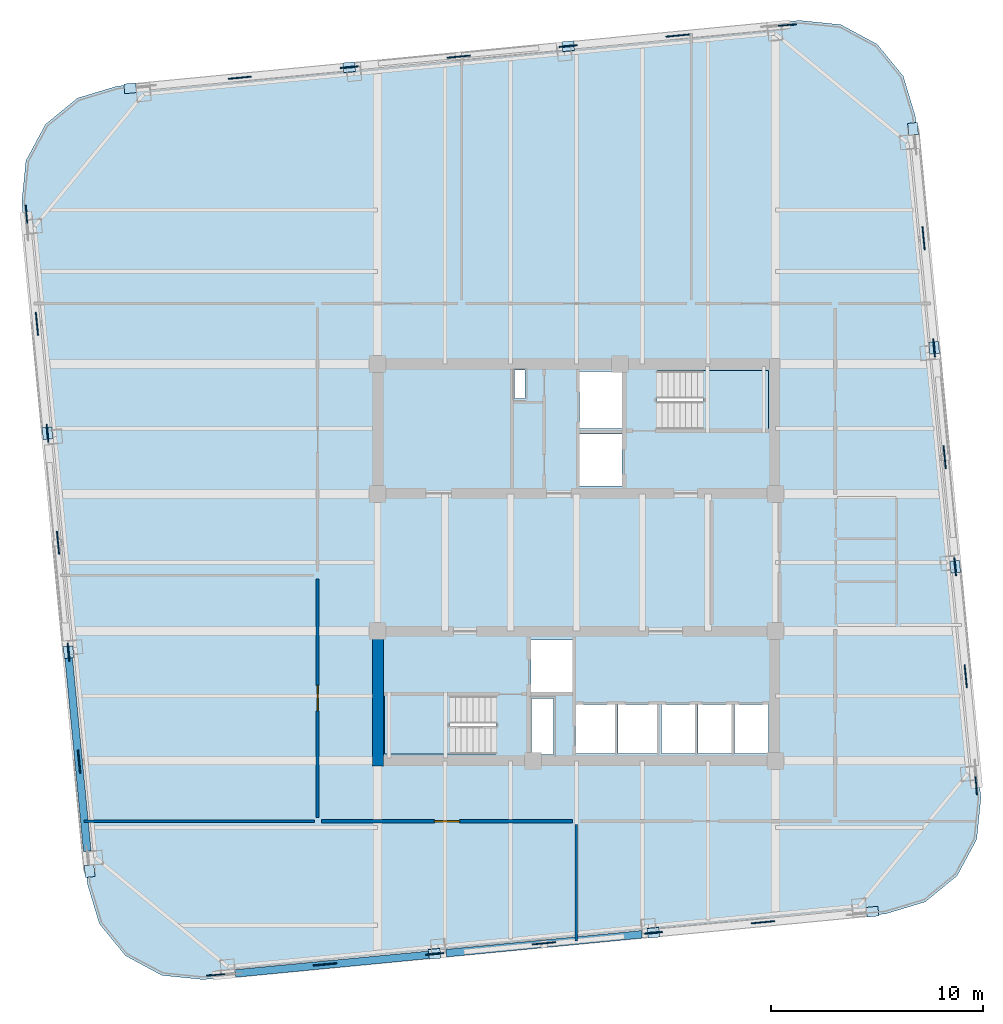
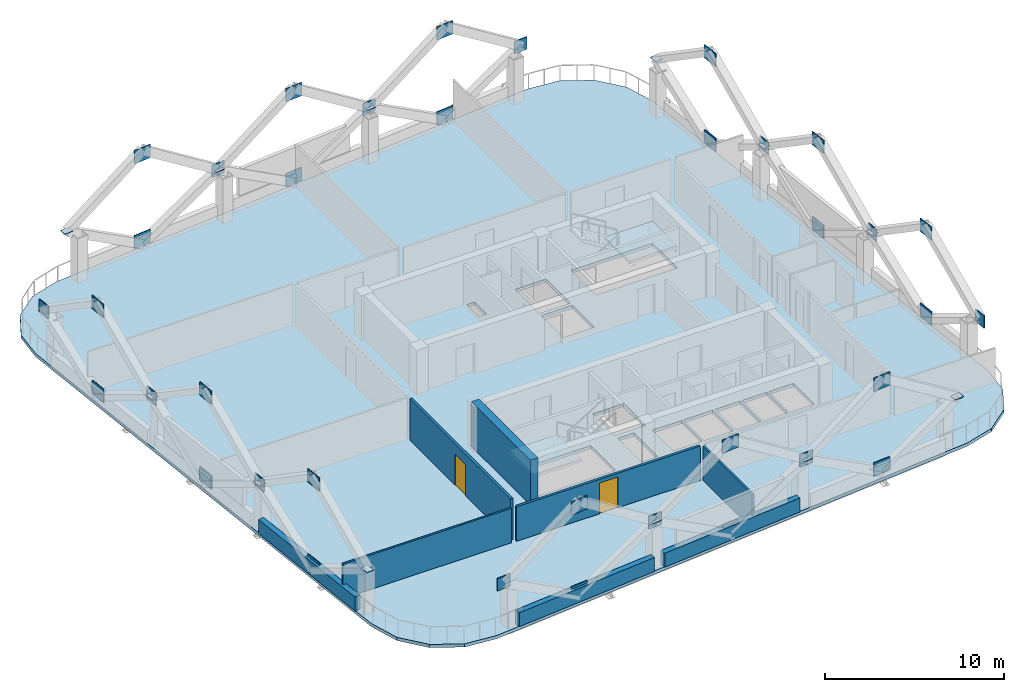
# One storey, part 3 of 9: 48 plates, 8 walls, 3 slabs, 2 doors, 2 openings, 2 elements without a shape of their own.
"""IFC4 building model written with IfcOpenShell, lengths in metres."""

from ifc_helpers import new_model, si_unit, direction, frame, frame_2d, origin, origin_2d, place, context, subcontext, project, spatial, polyline, rectangle, outline, extrude, material, layer, layer_set, type_object, element, fill, aggregate, save


model = new_model("IFC4")

# Units and contexts
model_context = context("Model", 3, precision=1e-05, world=origin(), true_north=direction((0.0, 1.0)))
body_context = subcontext(model_context, "Body", "Model", "MODEL_VIEW")
ifc_project = project(units=[si_unit("LENGTHUNIT", "METRE"), si_unit("AREAUNIT", "SQUARE_METRE"), si_unit("VOLUMEUNIT", "CUBIC_METRE"), si_unit("PLANEANGLEUNIT", "RADIAN"), si_unit("MASSUNIT", "GRAM", prefix="KILO")], contexts=[model_context])

# Site, building, storey
site_placement = place(None, origin())
site = spatial("IfcSite", under=ifc_project, at=site_placement, CompositionType="ELEMENT")
building_placement = place(site_placement, origin())
building = spatial("IfcBuilding", under=site, at=building_placement, Name="Qhalaya Broadcast Tower", CompositionType="ELEMENT")
storey_placement = place(building_placement, frame((0.0, 0.0, 180.550048828125)))
storey = spatial("IfcBuildingStorey", under=building, at=storey_placement, Name="L53", CompositionType="ELEMENT", Elevation=180.550048828125)

# Plates
ifc_material_1 = material(Name="Structural Steel ASTM A572 Grade 50", Category="steel")
ifc_layer_1 = layer(ifc_material_1, 0.054931640625, Name="Structural Steel ASTM A572 Grade 50")
ifc_layer_set_1 = layer_set([ifc_layer_1], Name="Structural Steel ASTM A572 Grade 50")
plate_type_1 = type_object("IfcPlateType", Name="Exoskeleton Diamond Node Gusset Plate NP-01", PredefinedType="USERDEFINED", material=ifc_layer_set_1)
for number, where, z_axis, x_axis, name in (
    (1, (-11.84716796875, -18.346923828125, 0.2099609375), (0.0, 0.0, 1.0), (0.995396198367, 0.09584575252, 0.0), "Exoskeleton Diamond Node B4-S1-BOT"),
    (2, (-11.84716796875, -18.346923828125, 5.989990234375), (0.0, 0.0, 1.0), (0.995396198367, 0.09584575252, 0.0), "Exoskeleton Diamond Node B4-S1-TOP"),
):
    element("IfcPlate", number, at=place(storey_placement, frame(where, z_axis=z_axis, x_axis=x_axis)), inside=storey, type_object=plate_type_1, Name=name, ObjectType="GUSSET_PLATE", PredefinedType="USERDEFINED", context=body_context, shape_type="SweptSolid", body=[
        extrude(rectangle(XDim=1.10009765625, YDim=0.054931640625, at=origin_2d()), origin(), (0.0, 0.0, 1.0), 0.89990234375),
    ])
plate_1_placement = place(storey_placement, frame((-17.006591796875, -18.84375, 2.885009765625), z_axis=(0.0, 0.0, 1.0), x_axis=(0.995396198367, 0.09584575252, 0.0)))
element("IfcPlate", 3, at=plate_1_placement, inside=storey, type_object=plate_type_1, Name="Exoskeleton Diamond Node B4-S1-MDL", ObjectType="GUSSET_PLATE", PredefinedType="USERDEFINED", context=body_context, shape_type="SweptSolid", body=[
    extrude(rectangle(XDim=0.85009765625, YDim=0.054931640625, at=origin_2d()), origin(), (0.0, 0.0, 1.0), 0.85009765625),
])
for number, where, z_axis, x_axis, name in (
    (4, (-1.5283203125, -17.353515625, 0.2099609375), (0.0, 0.0, 1.0), (0.995396198367, 0.09584575252, 0.0), "Exoskeleton Diamond Node B4-S2-BOT"),
    (5, (-1.5283203125, -17.353515625, 5.989990234375), (0.0, 0.0, 1.0), (0.995396198367, 0.09584575252, 0.0), "Exoskeleton Diamond Node B4-S2-TOP"),
):
    element("IfcPlate", number, at=place(storey_placement, frame(where, z_axis=z_axis, x_axis=x_axis)), inside=storey, type_object=plate_type_1, Name=name, ObjectType="GUSSET_PLATE", PredefinedType="USERDEFINED", context=body_context, shape_type="SweptSolid", body=[
        extrude(rectangle(XDim=1.10009765625, YDim=0.054931640625, at=origin_2d()), origin(), (0.0, 0.0, 1.0), 0.89990234375),
    ])
plate_2_placement = place(storey_placement, frame((-6.687744140625, -17.85009765625, 2.885009765625), z_axis=(0.0, 0.0, 1.0), x_axis=(0.995396198367, 0.09584575252, 0.0)))
element("IfcPlate", 6, at=plate_2_placement, inside=storey, type_object=plate_type_1, Name="Exoskeleton Diamond Node B4-S2-MDL", ObjectType="GUSSET_PLATE", PredefinedType="USERDEFINED", context=body_context, shape_type="SweptSolid", body=[
    extrude(rectangle(XDim=0.85009765625, YDim=0.054931640625, at=origin_2d()), origin(), (0.0, 0.0, 1.0), 0.85009765625),
])
for number, where, z_axis, x_axis, name in (
    (7, (8.790771484375, -16.35986328125, 0.2099609375), (0.0, 0.0, 1.0), (0.995396198367, 0.09584575252, 0.0), "Exoskeleton Diamond Node B4-S3-BOT"),
    (8, (8.790771484375, -16.35986328125, 5.989990234375), (0.0, 0.0, 1.0), (0.995396198367, 0.09584575252, 0.0), "Exoskeleton Diamond Node B4-S3-TOP"),
):
    element("IfcPlate", number, at=place(storey_placement, frame(where, z_axis=z_axis, x_axis=x_axis)), inside=storey, type_object=plate_type_1, Name=name, ObjectType="GUSSET_PLATE", PredefinedType="USERDEFINED", context=body_context, shape_type="SweptSolid", body=[
        extrude(rectangle(XDim=1.10009765625, YDim=0.054931640625, at=origin_2d()), origin(), (0.0, 0.0, 1.0), 0.89990234375),
    ])
plate_3_placement = place(storey_placement, frame((3.63134765625, -16.856689453125, 2.885009765625), z_axis=(0.0, 0.0, 1.0), x_axis=(0.995396198367, 0.09584575252, 0.0)))
element("IfcPlate", 9, at=plate_3_placement, inside=storey, type_object=plate_type_1, Name="Exoskeleton Diamond Node B4-S3-MDL", ObjectType="GUSSET_PLATE", PredefinedType="USERDEFINED", context=body_context, shape_type="SweptSolid", body=[
    extrude(rectangle(XDim=0.85009765625, YDim=0.054931640625, at=origin_2d()), origin(), (0.0, 0.0, 1.0), 0.85009765625),
])
for number, where, z_axis, x_axis, name in (
    (10, (18.346923828125, -4.76708984375, 0.2099609375), (0.0, 0.0, 1.0), (-0.09584575252, 0.995396198367, 0.0), "Exoskeleton Diamond Node B4-E1-BOT"),
    (11, (18.346923828125, -4.76708984375, 5.989990234375), (0.0, 0.0, 1.0), (-0.09584575252, 0.995396198367, 0.0), "Exoskeleton Diamond Node B4-E1-TOP"),
):
    element("IfcPlate", number, at=place(storey_placement, frame(where, z_axis=z_axis, x_axis=x_axis)), inside=storey, type_object=plate_type_1, Name=name, ObjectType="GUSSET_PLATE", PredefinedType="USERDEFINED", context=body_context, shape_type="SweptSolid", body=[
        extrude(rectangle(XDim=1.10009765625, YDim=0.054931640625, at=origin_2d()), origin(), (0.0, 0.0, 1.0), 0.89990234375),
    ])
plate_4_placement = place(storey_placement, frame((18.84375, -9.926513671875, 2.885009765625), z_axis=(0.0, 0.0, 1.0), x_axis=(-0.09584575252, 0.995396198367, 0.0)))
element("IfcPlate", 12, at=plate_4_placement, inside=storey, type_object=plate_type_1, Name="Exoskeleton Diamond Node B4-E1-MDL", ObjectType="GUSSET_PLATE", PredefinedType="USERDEFINED", context=body_context, shape_type="SweptSolid", body=[
    extrude(rectangle(XDim=0.85009765625, YDim=0.054931640625, at=origin_2d()), origin(), (0.0, 0.0, 1.0), 0.85009765625),
])
for number, where, z_axis, x_axis, name in (
    (13, (17.353515625, 5.5517578125, 0.2099609375), (0.0, 0.0, 1.0), (-0.09584575252, 0.995396198367, 0.0), "Exoskeleton Diamond Node B4-E2-BOT"),
    (14, (17.353515625, 5.5517578125, 5.989990234375), (0.0, 0.0, 1.0), (-0.09584575252, 0.995396198367, 0.0), "Exoskeleton Diamond Node B4-E2-TOP"),
):
    element("IfcPlate", number, at=place(storey_placement, frame(where, z_axis=z_axis, x_axis=x_axis)), inside=storey, type_object=plate_type_1, Name=name, ObjectType="GUSSET_PLATE", PredefinedType="USERDEFINED", context=body_context, shape_type="SweptSolid", body=[
        extrude(rectangle(XDim=1.10009765625, YDim=0.054931640625, at=origin_2d()), origin(), (0.0, 0.0, 1.0), 0.89990234375),
    ])
plate_5_placement = place(storey_placement, frame((17.85009765625, 0.392333984375, 2.885009765625), z_axis=(0.0, 0.0, 1.0), x_axis=(-0.09584575252, 0.995396198367, 0.0)))
element("IfcPlate", 15, at=plate_5_placement, inside=storey, type_object=plate_type_1, Name="Exoskeleton Diamond Node B4-E2-MDL", ObjectType="GUSSET_PLATE", PredefinedType="USERDEFINED", context=body_context, shape_type="SweptSolid", body=[
    extrude(rectangle(XDim=0.85009765625, YDim=0.054931640625, at=origin_2d()), origin(), (0.0, 0.0, 1.0), 0.85009765625),
])
for number, where, z_axis, x_axis, name in (
    (16, (16.35986328125, 15.87060546875, 0.2099609375), (0.0, 0.0, 1.0), (-0.09584575252, 0.995396198367, 0.0), "Exoskeleton Diamond Node B4-E3-BOT"),
    (17, (16.35986328125, 15.87060546875, 5.989990234375), (0.0, 0.0, 1.0), (-0.09584575252, 0.995396198367, 0.0), "Exoskeleton Diamond Node B4-E3-TOP"),
):
    element("IfcPlate", number, at=place(storey_placement, frame(where, z_axis=z_axis, x_axis=x_axis)), inside=storey, type_object=plate_type_1, Name=name, ObjectType="GUSSET_PLATE", PredefinedType="USERDEFINED", context=body_context, shape_type="SweptSolid", body=[
        extrude(rectangle(XDim=1.10009765625, YDim=0.054931640625, at=origin_2d()), origin(), (0.0, 0.0, 1.0), 0.89990234375),
    ])
plate_6_placement = place(storey_placement, frame((16.856689453125, 10.711181640625, 2.885009765625), z_axis=(0.0, 0.0, 1.0), x_axis=(-0.09584575252, 0.995396198367, 0.0)))
element("IfcPlate", 18, at=plate_6_placement, inside=storey, type_object=plate_type_1, Name="Exoskeleton Diamond Node B4-E3-MDL", ObjectType="GUSSET_PLATE", PredefinedType="USERDEFINED", context=body_context, shape_type="SweptSolid", body=[
    extrude(rectangle(XDim=0.85009765625, YDim=0.054931640625, at=origin_2d()), origin(), (0.0, 0.0, 1.0), 0.85009765625),
])
for number, where, z_axis, x_axis, name in (
    (19, (4.76708984375, 25.427001953125, 0.2099609375), (0.0, 0.0, 1.0), (0.995396198367, 0.09584575252, 0.0), "Exoskeleton Diamond Node B4-N1-BOT"),
    (20, (4.76708984375, 25.427001953125, 5.989990234375), (0.0, 0.0, 1.0), (0.995396198367, 0.09584575252, 0.0), "Exoskeleton Diamond Node B4-N1-TOP"),
):
    element("IfcPlate", number, at=place(storey_placement, frame(where, z_axis=z_axis, x_axis=x_axis)), inside=storey, type_object=plate_type_1, Name=name, ObjectType="GUSSET_PLATE", PredefinedType="USERDEFINED", context=body_context, shape_type="SweptSolid", body=[
        extrude(rectangle(XDim=1.10009765625, YDim=0.054931640625, at=origin_2d()), origin(), (0.0, 0.0, 1.0), 0.89990234375),
    ])
plate_7_placement = place(storey_placement, frame((9.926513671875, 25.923828125, 2.885009765625), z_axis=(0.0, 0.0, 1.0), x_axis=(0.995396198367, 0.09584575252, 0.0)))
element("IfcPlate", 21, at=plate_7_placement, inside=storey, type_object=plate_type_1, Name="Exoskeleton Diamond Node B4-N1-MDL", ObjectType="GUSSET_PLATE", PredefinedType="USERDEFINED", context=body_context, shape_type="SweptSolid", body=[
    extrude(rectangle(XDim=0.85009765625, YDim=0.054931640625, at=origin_2d()), origin(), (0.0, 0.0, 1.0), 0.85009765625),
])
for number, where, z_axis, x_axis, name in (
    (22, (-5.5517578125, 24.433349609375, 0.2099609375), (0.0, 0.0, 1.0), (0.995396198367, 0.09584575252, 0.0), "Exoskeleton Diamond Node B4-N2-BOT"),
    (23, (-5.5517578125, 24.433349609375, 5.989990234375), (0.0, 0.0, 1.0), (0.995396198367, 0.09584575252, 0.0), "Exoskeleton Diamond Node B4-N2-TOP"),
):
    element("IfcPlate", number, at=place(storey_placement, frame(where, z_axis=z_axis, x_axis=x_axis)), inside=storey, type_object=plate_type_1, Name=name, ObjectType="GUSSET_PLATE", PredefinedType="USERDEFINED", context=body_context, shape_type="SweptSolid", body=[
        extrude(rectangle(XDim=1.10009765625, YDim=0.054931640625, at=origin_2d()), origin(), (0.0, 0.0, 1.0), 0.89990234375),
    ])
plate_8_placement = place(storey_placement, frame((-0.392333984375, 24.93017578125, 2.885009765625), z_axis=(0.0, 0.0, 1.0), x_axis=(0.995396198367, 0.09584575252, 0.0)))
element("IfcPlate", 24, at=plate_8_placement, inside=storey, type_object=plate_type_1, Name="Exoskeleton Diamond Node B4-N2-MDL", ObjectType="GUSSET_PLATE", PredefinedType="USERDEFINED", context=body_context, shape_type="SweptSolid", body=[
    extrude(rectangle(XDim=0.85009765625, YDim=0.054931640625, at=origin_2d()), origin(), (0.0, 0.0, 1.0), 0.85009765625),
])
for number, where, z_axis, x_axis, name in (
    (25, (-15.87060546875, 23.439697265625, 0.2099609375), (0.0, 0.0, 1.0), (0.995396198367, 0.09584575252, 0.0), "Exoskeleton Diamond Node B4-N3-BOT"),
    (26, (-15.87060546875, 23.439697265625, 5.989990234375), (0.0, 0.0, 1.0), (0.995396198367, 0.09584575252, 0.0), "Exoskeleton Diamond Node B4-N3-TOP"),
):
    element("IfcPlate", number, at=place(storey_placement, frame(where, z_axis=z_axis, x_axis=x_axis)), inside=storey, type_object=plate_type_1, Name=name, ObjectType="GUSSET_PLATE", PredefinedType="USERDEFINED", context=body_context, shape_type="SweptSolid", body=[
        extrude(rectangle(XDim=1.10009765625, YDim=0.054931640625, at=origin_2d()), origin(), (0.0, 0.0, 1.0), 0.89990234375),
    ])
plate_9_placement = place(storey_placement, frame((-10.711181640625, 23.9365234375, 2.885009765625), z_axis=(0.0, 0.0, 1.0), x_axis=(0.995396198367, 0.09584575252, 0.0)))
element("IfcPlate", 27, at=plate_9_placement, inside=storey, type_object=plate_type_1, Name="Exoskeleton Diamond Node B4-N3-MDL", ObjectType="GUSSET_PLATE", PredefinedType="USERDEFINED", context=body_context, shape_type="SweptSolid", body=[
    extrude(rectangle(XDim=0.85009765625, YDim=0.054931640625, at=origin_2d()), origin(), (0.0, 0.0, 1.0), 0.85009765625),
])
for number, where, z_axis, x_axis, name in (
    (28, (-25.427001953125, 11.84716796875, 0.2099609375), (0.0, 0.0, 1.0), (-0.09584575252, 0.995396198367, 0.0), "Exoskeleton Diamond Node B4-W1-BOT"),
    (29, (-25.427001953125, 11.84716796875, 5.989990234375), (0.0, 0.0, 1.0), (-0.09584575252, 0.995396198367, 0.0), "Exoskeleton Diamond Node B4-W1-TOP"),
):
    element("IfcPlate", number, at=place(storey_placement, frame(where, z_axis=z_axis, x_axis=x_axis)), inside=storey, type_object=plate_type_1, Name=name, ObjectType="GUSSET_PLATE", PredefinedType="USERDEFINED", context=body_context, shape_type="SweptSolid", body=[
        extrude(rectangle(XDim=1.10009765625, YDim=0.054931640625, at=origin_2d()), origin(), (0.0, 0.0, 1.0), 0.89990234375),
    ])
plate_10_placement = place(storey_placement, frame((-25.923828125, 17.006591796875, 2.885009765625), z_axis=(0.0, 0.0, 1.0), x_axis=(-0.09584575252, 0.995396198367, 0.0)))
element("IfcPlate", 30, at=plate_10_placement, inside=storey, type_object=plate_type_1, Name="Exoskeleton Diamond Node B4-W1-MDL", ObjectType="GUSSET_PLATE", PredefinedType="USERDEFINED", context=body_context, shape_type="SweptSolid", body=[
    extrude(rectangle(XDim=0.85009765625, YDim=0.054931640625, at=origin_2d()), origin(), (0.0, 0.0, 1.0), 0.85009765625),
])
for number, where, z_axis, x_axis, name in (
    (31, (-24.433349609375, 1.5283203125, 0.2099609375), (0.0, 0.0, 1.0), (-0.09584575252, 0.995396198367, 0.0), "Exoskeleton Diamond Node B4-W2-BOT"),
    (32, (-24.433349609375, 1.5283203125, 5.989990234375), (0.0, 0.0, 1.0), (-0.09584575252, 0.995396198367, 0.0), "Exoskeleton Diamond Node B4-W2-TOP"),
):
    element("IfcPlate", number, at=place(storey_placement, frame(where, z_axis=z_axis, x_axis=x_axis)), inside=storey, type_object=plate_type_1, Name=name, ObjectType="GUSSET_PLATE", PredefinedType="USERDEFINED", context=body_context, shape_type="SweptSolid", body=[
        extrude(rectangle(XDim=1.10009765625, YDim=0.054931640625, at=origin_2d()), origin(), (0.0, 0.0, 1.0), 0.89990234375),
    ])
plate_11_placement = place(storey_placement, frame((-24.93017578125, 6.687744140625, 2.885009765625), z_axis=(0.0, 0.0, 1.0), x_axis=(-0.09584575252, 0.995396198367, 0.0)))
element("IfcPlate", 33, at=plate_11_placement, inside=storey, type_object=plate_type_1, Name="Exoskeleton Diamond Node B4-W2-MDL", ObjectType="GUSSET_PLATE", PredefinedType="USERDEFINED", context=body_context, shape_type="SweptSolid", body=[
    extrude(rectangle(XDim=0.85009765625, YDim=0.054931640625, at=origin_2d()), origin(), (0.0, 0.0, 1.0), 0.85009765625),
])
for number, where, z_axis, x_axis, name in (
    (34, (-23.439697265625, -8.790771484375, 0.2099609375), (0.0, 0.0, 1.0), (-0.09584575252, 0.995396198367, 0.0), "Exoskeleton Diamond Node B4-W3-BOT"),
    (35, (-23.439697265625, -8.790771484375, 5.989990234375), (0.0, 0.0, 1.0), (-0.09584575252, 0.995396198367, 0.0), "Exoskeleton Diamond Node B4-W3-TOP"),
):
    element("IfcPlate", number, at=place(storey_placement, frame(where, z_axis=z_axis, x_axis=x_axis)), inside=storey, type_object=plate_type_1, Name=name, ObjectType="GUSSET_PLATE", PredefinedType="USERDEFINED", context=body_context, shape_type="SweptSolid", body=[
        extrude(rectangle(XDim=1.10009765625, YDim=0.054931640625, at=origin_2d()), origin(), (0.0, 0.0, 1.0), 0.89990234375),
    ])
plate_12_placement = place(storey_placement, frame((-23.9365234375, -3.63134765625, 2.885009765625), z_axis=(0.0, 0.0, 1.0), x_axis=(-0.09584575252, 0.995396198367, 0.0)))
element("IfcPlate", 36, at=plate_12_placement, inside=storey, type_object=plate_type_1, Name="Exoskeleton Diamond Node B4-W3-MDL", ObjectType="GUSSET_PLATE", PredefinedType="USERDEFINED", context=body_context, shape_type="SweptSolid", body=[
    extrude(rectangle(XDim=0.85009765625, YDim=0.054931640625, at=origin_2d()), origin(), (0.0, 0.0, 1.0), 0.85009765625),
])
ifc_layer_2 = layer(ifc_material_1, 0.4599609375, Name="Structural Steel ASTM A572 Grade 50")
ifc_layer_set_2 = layer_set([ifc_layer_2], Name="Structural Steel ASTM A572 Grade 50")
plate_type_2 = type_object("IfcPlateType", Name="Hollow Box Member End Cap Plate CP-01", PredefinedType="USERDEFINED", material=ifc_layer_set_2)
for number, where, z_axis, x_axis, name in (
    (37, (-6.687744140625, -17.85009765625, 3.2939453125), (0.0, 0.0, 1.0), (0.995396198367, 0.09584575252, 0.0), "Exoskeleton Hollow End Cap B4-S1"),
    (38, (3.63134765625, -16.856689453125, 3.2939453125), (0.0, 0.0, 1.0), (0.995396198367, 0.09584575252, 0.0), "Exoskeleton Hollow End Cap B4-S2"),
    (39, (13.9501953125, -15.863037109375, 3.2939453125), (0.0, 0.0, 1.0), (0.995396198367, 0.09584575252, 0.0), "Exoskeleton Hollow End Cap B4-S3"),
    (40, (17.85009765625, 0.392333984375, 3.2939453125), (0.0, 0.0, 1.0), (-0.09584575252, 0.995396198367, 0.0), "Exoskeleton Hollow End Cap B4-E1"),
    (41, (16.856689453125, 10.711181640625, 3.2939453125), (0.0, 0.0, 1.0), (-0.09584575252, 0.995396198367, 0.0), "Exoskeleton Hollow End Cap B4-E2"),
    (42, (15.863037109375, 21.0302734375, 3.2939453125), (0.0, 0.0, 1.0), (-0.09584575252, 0.995396198367, 0.0), "Exoskeleton Hollow End Cap B4-E3"),
    (43, (-0.392333984375, 24.93017578125, 3.2939453125), (0.0, 0.0, 1.0), (0.995396198367, 0.09584575252, 0.0), "Exoskeleton Hollow End Cap B4-N1"),
    (44, (-10.711181640625, 23.9365234375, 3.2939453125), (0.0, 0.0, 1.0), (0.995396198367, 0.09584575252, 0.0), "Exoskeleton Hollow End Cap B4-N2"),
    (45, (-21.0302734375, 22.943115234375, 3.2939453125), (0.0, 0.0, 1.0), (0.995396198367, 0.09584575252, 0.0), "Exoskeleton Hollow End Cap B4-N3"),
    (46, (-24.93017578125, 6.687744140625, 3.2939453125), (0.0, 0.0, 1.0), (-0.09584575252, 0.995396198367, 0.0), "Exoskeleton Hollow End Cap B4-W1"),
    (47, (-23.9365234375, -3.63134765625, 3.2939453125), (0.0, 0.0, 1.0), (-0.09584575252, 0.995396198367, 0.0), "Exoskeleton Hollow End Cap B4-W2"),
    (48, (-22.943115234375, -13.9501953125, 3.2939453125), (0.0, 0.0, 1.0), (-0.09584575252, 0.995396198367, 0.0), "Exoskeleton Hollow End Cap B4-W3"),
):
    element("IfcPlate", number, at=place(storey_placement, frame(where, z_axis=z_axis, x_axis=x_axis)), inside=storey, type_object=plate_type_2, Name=name, ObjectType="COVER_PLATE", PredefinedType="USERDEFINED", context=body_context, shape_type="SweptSolid", body=[
        extrude(rectangle(XDim=0.56005859375, YDim=0.4599609375, at=origin_2d()), origin(), (0.0, 0.0, 1.0), 0.031982421875),
    ])

# Stair, slab
ifc_material_2 = material(Name="Concrete C40/50", Category="concrete")
stair_type = type_object("IfcStairType", Name="Protected Dogleg Core Stair 3150", PredefinedType="TWO_STRAIGHT_RUN_STAIR", material=ifc_material_2)
stair_1_placement = place(storey_placement, origin())
stair_1 = element("IfcStair", 49, at=stair_1_placement, inside=storey, type_object=stair_type, Name="L53 North Core Exit Stair ST-1", PredefinedType="TWO_STRAIGHT_RUN_STAIR")
ifc_layer_3 = layer(ifc_material_2, 0.199951171875, Name="Concrete C40/50")
ifc_layer_set_3 = layer_set([ifc_layer_3], Name="Concrete C40/50")
slab_type_1 = type_object("IfcSlabType", Name="Stair & Ramp Half-Landing Slab 200", PredefinedType="LANDING", material=ifc_layer_set_3)
slab_1_placement = place(storey_placement, frame((0.0, 0.0, 1.324951171875)))
slab_1 = element("IfcSlab", 50, at=slab_1_placement, type_object=slab_type_1, Name="ST-1 landing 1", PredefinedType="LANDING", context=body_context, shape_type="SweptSolid", body=[
    extrude(outline(polyline([(5.955078125, 6.8798828125), (9.050048828125, 6.8798828125), (9.050048828125, 9.639892578125), (5.955078125, 9.639892578125), (5.955078125, 6.8798828125)])), origin(), (0.0, 0.0, 1.0), 0.199951171875),
])
aggregate(stair_1, [slab_1])

stair_2_placement = place(storey_placement, origin())
stair_2 = element("IfcStair", 51, at=stair_2_placement, inside=storey, type_object=stair_type, Name="L53 South Core Exit Stair ST-2", PredefinedType="TWO_STRAIGHT_RUN_STAIR")
slab_2_placement = place(storey_placement, frame((0.0, 0.0, 1.324951171875)))
slab_2 = element("IfcSlab", 52, at=slab_2_placement, type_object=slab_type_1, Name="ST-2 landing 1", PredefinedType="LANDING", context=body_context, shape_type="SweptSolid", body=[
    extrude(outline(polyline([(-5.955078125, -5.679931640625), (-9.050048828125, -5.679931640625), (-9.050048828125, -8.43994140625), (-5.955078125, -8.43994140625), (-5.955078125, -5.679931640625)])), origin(), (0.0, 0.0, 1.0), 0.199951171875),
])
aggregate(stair_2, [slab_2])

# Slab
ifc_layer_4 = layer(ifc_material_2, 0.219970703125, Name="Concrete C40/50")
ifc_layer_set_4 = layer_set([ifc_layer_4], Name="Concrete C40/50")
slab_type_2 = type_object("IfcSlabType", Name="Tower Composite Floor Slab 220", PredefinedType="FLOOR", material=ifc_layer_set_4)
slab_3_placement = place(storey_placement, frame((0.0, 0.0, -0.219970703125)))
element("IfcSlab", 53, at=slab_3_placement, inside=storey, type_object=slab_type_2, Name="L53 Main Structural Floor Slab", PredefinedType="FLOOR", context=body_context, shape_type="SweptSolid", body=[
    extrude(outline(polyline([(14.562744140625, -15.964599609375), (16.430908203125, -15.402587890625), (17.941650390625, -14.168212890625), (18.864990234375, -12.44970703125), (19.060546875, -10.508544921875), (15.964599609375, 21.642822265625), (15.402587890625, 23.510986328125), (14.168212890625, 25.021728515625), (12.44970703125, 25.945068359375), (10.508544921875, 26.140380859375), (-21.642822265625, 23.044677734375), (-23.510986328125, 22.482421875), (-25.021728515625, 21.248046875), (-25.945068359375, 19.529541015625), (-26.140380859375, 17.58837890625), (-23.044677734375, -14.562744140625), (-22.482421875, -16.430908203125), (-21.248046875, -17.941650390625), (-19.529541015625, -18.864990234375), (-17.58837890625, -19.060546875), (14.562744140625, -15.964599609375)]), holes=[polyline([(3.784912109375, 9.639892578125), (9.050048828125, 9.639892578125), (9.050048828125, 6.8798828125), (3.784912109375, 6.8798828125), (3.784912109375, 9.639892578125)]), polyline([(-3.784912109375, -8.43994140625), (-9.050048828125, -8.43994140625), (-9.050048828125, -5.679931640625), (-3.784912109375, -5.679931640625), (-3.784912109375, -8.43994140625)]), polyline([(0.14990234375, 6.64990234375), (2.14990234375, 6.64990234375), (2.14990234375, 4.199951171875), (0.14990234375, 4.199951171875), (0.14990234375, 6.64990234375)]), polyline([(0.14990234375, 9.60009765625), (2.14990234375, 9.60009765625), (2.14990234375, 6.89990234375), (0.14990234375, 6.89990234375), (0.14990234375, 9.60009765625)]), polyline([(-2.14990234375, -3.050048828125), (-0.14990234375, -3.050048828125), (-0.14990234375, -5.5), (-2.14990234375, -5.5), (-2.14990234375, -3.050048828125)]), polyline([(-0.050048828125, -6.10009765625), (1.830078125, -6.10009765625), (1.830078125, -8.39990234375), (-0.050048828125, -8.39990234375), (-0.050048828125, -6.10009765625)]), polyline([(1.949951171875, -6.10009765625), (3.830078125, -6.10009765625), (3.830078125, -8.39990234375), (1.949951171875, -8.39990234375), (1.949951171875, -6.10009765625)]), polyline([(4.0, -6.10009765625), (5.60009765625, -6.10009765625), (5.60009765625, -8.39990234375), (4.0, -8.39990234375), (4.0, -6.10009765625)]), polyline([(5.719970703125, -6.10009765625), (7.320068359375, -6.10009765625), (7.320068359375, -8.39990234375), (5.719970703125, -8.39990234375), (5.719970703125, -6.10009765625)]), polyline([(7.43994140625, -6.10009765625), (9.0400390625, -6.10009765625), (9.0400390625, -8.39990234375), (7.43994140625, -8.39990234375), (7.43994140625, -6.10009765625)]), polyline([(-2.919921875, 9.659912109375), (-2.419921875, 9.659912109375), (-2.419921875, 8.320068359375), (-2.919921875, 8.320068359375), (-2.919921875, 9.659912109375)]), polyline([(-2.1201171875, -5.820068359375), (-1.080078125, -5.820068359375), (-1.080078125, -8.4599609375), (-2.1201171875, -8.4599609375), (-2.1201171875, -5.820068359375)])]), origin(), (0.0, 0.0, 1.0), 0.219970703125),
])

# Wall, opening, door
ifc_material_3 = material(Name="Gypsum Acoustic Partition")
ifc_layer_5 = layer(ifc_material_3, 0.14990234375, Name="Gypsum Acoustic Partition")
ifc_layer_set_5 = layer_set([ifc_layer_5], Name="Gypsum Acoustic Partition")
wall_type_1 = type_object("IfcWallType", Name="Corridor & Tenancy Acoustic Partition 150", PredefinedType="PARTITIONING", material=ifc_layer_set_5)
wall_1_placement = place(storey_placement, frame((-12.02001953125, -11.60009765625, 0.0), z_axis=(0.0, 0.0, 1.0), x_axis=(1.0, 0.0, 0.0)))
wall_1 = element("IfcWall", 54, at=wall_1_placement, inside=storey, type_object=wall_type_1, Name="L53 Partition Wall W-COR-04", PredefinedType="PARTITIONING", context=body_context, shape_type="SweptSolid", body=[
    extrude(rectangle(XDim=11.840087890625, YDim=0.14990234375, at=frame_2d((5.919921875, 0.0))), origin(), (0.0, 0.0, 1.0), 2.346923828125),
])
opening_1_placement = place(wall_1_placement, frame((5.320068359375, 0.0, 0.0)))
opening_1 = element("IfcOpeningElement", 55, at=opening_1_placement, cuts=wall_1, Name="Opening D11", PredefinedType="OPENING", context=body_context, shape_type="SweptSolid", body=[
    extrude(rectangle(XDim=1.199951171875, YDim=2.10009765625, at=frame_2d((0.60009765625, 1.050048828125))), frame((0.0, 0.0869140625, 0.0), z_axis=(0.0, -1.0, 0.0), x_axis=(1.0, 0.0, 0.0)), (0.0, 0.0, 1.0), 0.173828125),
])
ifc_material_4 = material(Name="Anodised Aluminium Glazed Door", Category="aluminium")
door_type = type_object("IfcDoorType", Name="Conference, Boardroom & Studio Control Door D11", OperationType="NOTDEFINED", PredefinedType="DOOR", material=ifc_material_4)
door_1_placement = place(opening_1_placement, origin())
door_1 = element("IfcDoor", 56, at=door_1_placement, inside=storey, type_object=door_type, Name="L53 Door D-RM04", OperationType="SINGLE_SWING_RIGHT", OverallHeight=2.10009765625, OverallWidth=1.199951171875, PredefinedType="DOOR", context=body_context, shape_type="SweptSolid", body=[
    extrude(rectangle(XDim=1.199951171875, YDim=2.10009765625, at=frame_2d((0.60009765625, 1.050048828125))), frame((0.0, 0.02490234375, 0.0), z_axis=(0.0, -1.0, 0.0), x_axis=(1.0, 0.0, 0.0)), (0.0, 0.0, 1.0), 0.050048828125),
])
fill(opening_1, door_1)

wall_2_placement = place(storey_placement, frame((-12.199951171875, -11.419921875, 0.0), z_axis=(0.0, 0.0, 1.0), x_axis=(0.0, 1.0, 0.0)))
wall_2 = element("IfcWall", 57, at=wall_2_placement, inside=storey, type_object=wall_type_1, Name="L53 Partition Wall W-COR-06", PredefinedType="PARTITIONING", context=body_context, shape_type="SweptSolid", body=[
    extrude(rectangle(XDim=11.239990234375, YDim=0.14990234375, at=frame_2d((5.6201171875, 0.0))), origin(), (0.0, 0.0, 1.0), 2.829833984375),
])
opening_2_placement = place(wall_2_placement, frame((5.02001953125, 0.0, 0.0)))
opening_2 = element("IfcOpeningElement", 58, at=opening_2_placement, cuts=wall_2, Name="Opening D11", PredefinedType="OPENING", context=body_context, shape_type="SweptSolid", body=[
    extrude(rectangle(XDim=1.199951171875, YDim=2.10009765625, at=frame_2d((0.60009765625, 1.050048828125))), frame((0.0, 0.0869140625, 0.0), z_axis=(0.0, -1.0, 0.0), x_axis=(1.0, 0.0, 0.0)), (0.0, 0.0, 1.0), 0.173828125),
])
door_2_placement = place(opening_2_placement, origin())
door_2 = element("IfcDoor", 59, at=door_2_placement, inside=storey, type_object=door_type, Name="L53 Door D-RM06", OperationType="SINGLE_SWING_RIGHT", OverallHeight=2.10009765625, OverallWidth=1.199951171875, PredefinedType="DOOR", context=body_context, shape_type="SweptSolid", body=[
    extrude(rectangle(XDim=1.199951171875, YDim=2.10009765625, at=frame_2d((0.60009765625, 1.050048828125))), frame((0.0, 0.02490234375, 0.0), z_axis=(0.0, -1.0, 0.0), x_axis=(1.0, 0.0, 0.0)), (0.0, 0.0, 1.0), 0.050048828125),
])
fill(opening_2, door_2)

# Walls
ifc_material_5 = material(Name="Precast Concrete C40/50", Category="concrete")
ifc_layer_6 = layer(ifc_material_5, 0.360107421875, Name="Precast Concrete C40/50")
ifc_layer_set_6 = layer_set([ifc_layer_6], Name="Precast Concrete C40/50")
wall_type_2 = type_object("IfcWallType", Name="Insulated Precast Terracotta Exterior Wall 360", PredefinedType="SOLIDWALL", material=ifc_layer_set_6)
wall_3_placement = place(storey_placement, frame((3.085693359375, -16.92919921875, 0.0), z_axis=(0.0, 0.0, 1.0), x_axis=(-0.995395938284, -0.095848453547, 0.0)))
element("IfcWall", 60, at=wall_3_placement, inside=storey, type_object=wall_type_2, Name="L53 Exoskeleton Diagrid Infill Wall S2", PredefinedType="SOLIDWALL", context=body_context, shape_type="SweptSolid", body=[
    extrude(rectangle(XDim=9.2666015625, YDim=0.360107421875, at=frame_2d((4.63330078125, 0.0))), origin(), (0.0, 0.0, 1.0), 0.949951171875),
])
for number, where, z_axis, x_axis, name in (
    (61, (-6.835205078125, -17.884521484375, 0.0), (0.0, 0.0, 1.0), (-0.995397741315, -0.095829727039, 0.0), "L53 Exoskeleton Diagrid Infill Wall S3"),
    (62, (-23.052734375, -13.018310546875, 0.0), (0.0, 0.0, 1.0), (-0.095855797695, 0.995395231076, 0.0), "L53 Exoskeleton Diagrid Infill Wall W1"),
):
    element("IfcWall", number, at=place(storey_placement, frame(where, z_axis=z_axis, x_axis=x_axis)), inside=storey, type_object=wall_type_2, Name=name, PredefinedType="SOLIDWALL", context=body_context, shape_type="SweptSolid", body=[
        extrude(rectangle(XDim=9.278564453125, YDim=0.360107421875, at=frame_2d((4.63916015625, 0.0))), origin(), (0.0, 0.0, 1.0), 0.949951171875),
    ])
ifc_material_6 = material(Name="Concrete C50/60", Category="concrete")
ifc_layer_7 = layer(ifc_material_6, 0.5, Name="Concrete C50/60")
ifc_layer_set_7 = layer_set([ifc_layer_7], Name="Concrete C50/60")
wall_type_3 = type_object("IfcWallType", Name="Mid Split-Core Shear Wall 500", PredefinedType="SHEAR", material=ifc_layer_set_7)
wall_4_placement = place(storey_placement, frame((-9.35009765625, -9.0, 0.0), z_axis=(0.0, 0.0, 1.0), x_axis=(0.0, 1.0, 0.0)))
element("IfcWall", 63, at=wall_4_placement, inside=storey, type_object=wall_type_3, Name="L53 Split-Core Shear Wall CW-SW", PredefinedType="SHEAR", context=body_context, shape_type="SweptSolid", body=[
    extrude(rectangle(XDim=6.60009765625, YDim=0.5, at=frame_2d((3.300048828125, 0.0))), origin(), (0.0, 0.0, 1.0), 3.050048828125),
])
ifc_layer_8 = layer(ifc_material_3, 0.1201171875, Name="Gypsum Acoustic Partition")
ifc_layer_set_8 = layer_set([ifc_layer_8], Name="Gypsum Acoustic Partition")
wall_type_4 = type_object("IfcWallType", Name="Office, Booth & Sanitary Partition 120", PredefinedType="PARTITIONING", material=ifc_layer_set_8)
wall_5_placement = place(storey_placement, frame((-23.20947265625, -11.60009765625, 0.0), z_axis=(0.0, 0.0, 1.0), x_axis=(1.0, 0.0, 0.0)))
element("IfcWall", 64, at=wall_5_placement, inside=storey, type_object=wall_type_4, Name="L53 Partition Wall W-BNDW2", PredefinedType="PARTITIONING", context=body_context, shape_type="SweptSolid", body=[
    extrude(rectangle(XDim=10.869384765625, YDim=0.1201171875, at=frame_2d((5.4345703125, 0.0))), origin(), (0.0, 0.0, 1.0), 2.346923828125),
])
wall_6_placement = place(storey_placement, frame((0.0, -17.246337890625, 0.0), z_axis=(0.0, 0.0, 1.0), x_axis=(0.0, 1.0, 0.0)))
element("IfcWall", 65, at=wall_6_placement, inside=storey, type_object=wall_type_4, Name="L53 Partition Wall W-DIVS1", PredefinedType="PARTITIONING", context=body_context, shape_type="SweptSolid", body=[
    extrude(rectangle(XDim=5.486328125, YDim=0.1201171875, at=frame_2d((2.7431640625, 0.0))), origin(), (0.0, 0.0, 1.0), 2.346923828125),
])

save(model, "model.ifc")
